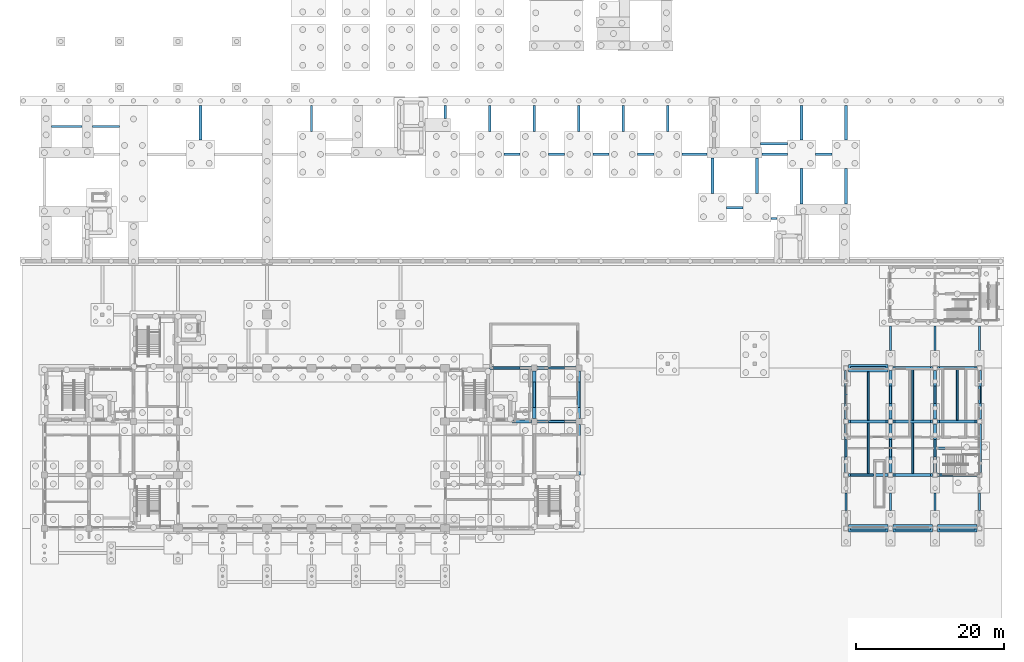
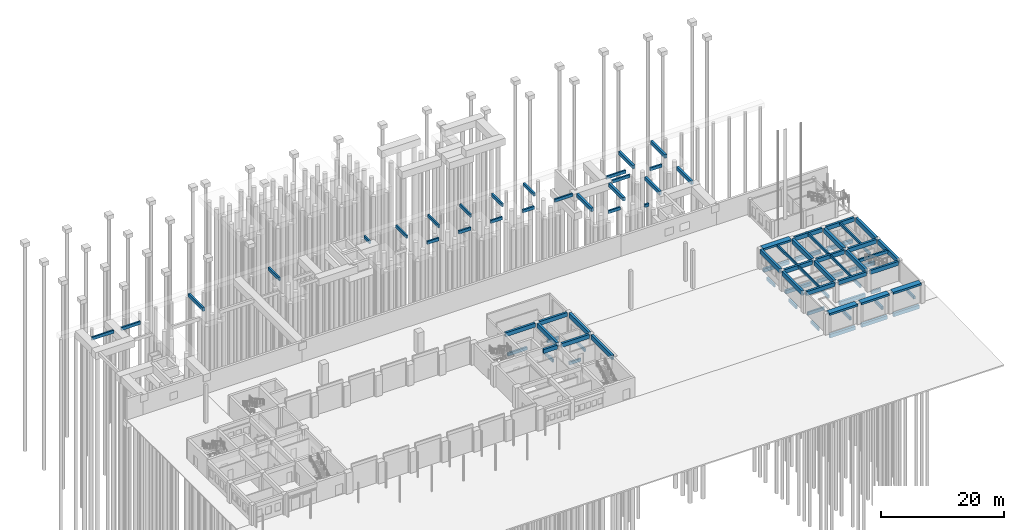
# One storey, part 14 of 37: 90 beams.
"""IFC4 building model written with IfcOpenShell, lengths in metres."""

from ifc_helpers import new_model, si_unit, direction, frame, origin, origin_2d, place, context, subcontext, project, spatial, rectangle, extrude, material, material_profile, profile_set, type_object, element, save


model = new_model("IFC4")

# Units and contexts
model_context = context("Model", 3, precision=1e-05, world=origin(), true_north=direction((0.0, 1.0)))
body_context = subcontext(model_context, "Body", "Model", "MODEL_VIEW")
ifc_project = project(units=[si_unit("LENGTHUNIT", "METRE"), si_unit("AREAUNIT", "SQUARE_METRE"), si_unit("VOLUMEUNIT", "CUBIC_METRE"), si_unit("PLANEANGLEUNIT", "RADIAN"), si_unit("MASSUNIT", "GRAM", prefix="KILO")], contexts=[model_context])

# Site, building, storey
site_placement = place(None, origin())
site = spatial("IfcSite", under=ifc_project, at=site_placement, CompositionType="ELEMENT")
building_placement = place(site_placement, origin())
building = spatial("IfcBuilding", under=site, at=building_placement, Name="Laocheng Heights Fire and Rescue Headquarters", CompositionType="ELEMENT")
storey_placement = place(building_placement, origin())
storey = spatial("IfcBuildingStorey", under=building, at=storey_placement, Name="L00", CompositionType="ELEMENT", Elevation=0.0)

# Beams
ifc_material_1 = material(Name="Concrete C40", Category="concrete")
ifc_material_profile_1 = material_profile(ifc_material_1, rectangle(XDim=1.0, YDim=0.39990234375, at=origin_2d()), Name="RC BEAM 1000x400 WORKSHOP DOOR HEAD BAND")
ifc_profile_set_1 = profile_set([ifc_material_profile_1], Name="Concrete C40")
beam_type_1 = type_object("IfcBeamType", Name="RC BEAM 1000x400 WORKSHOP DOOR HEAD BAND", PredefinedType="BEAM", material=ifc_profile_set_1)
for number, where, z_axis, x_axis, name in (
    (1, (108.35009765625, 21.60009765625, 3.800048828125), (1.0, 0.0, 0.0), (0.0, 1.0, 0.0), "Mezzanine beam"),
    (2, (108.35009765625, 0.0, 4.0), (1.0, 0.0, 0.0), (0.0, 1.0, 0.0), "Door head band beam"),
    (3, (114.35009765625, 0.0, 4.0), (1.0, 0.0, 0.0), (0.0, 1.0, 0.0), "Door head band beam"),
    (4, (120.35009765625, 0.0, 4.0), (1.0, 0.0, 0.0), (0.0, 1.0, 0.0), "Door head band beam"),
):
    element("IfcBeam", number, at=place(storey_placement, frame(where, z_axis=z_axis, x_axis=x_axis)), inside=storey, type_object=beam_type_1, Name=name, PredefinedType="BEAM", context=body_context, shape_type="SweptSolid", body=[
        extrude(rectangle(XDim=1.0, YDim=0.39990234375, at=origin_2d()), origin(), (0.0, 0.0, 1.0), 5.2998046875),
    ])
ifc_material_2 = material(Name="Concrete C40", Category="concrete")
ifc_material_profile_2 = material_profile(ifc_material_2, rectangle(XDim=0.25, YDim=0.5, at=origin_2d()), Name="RC BEAM 250x500 WORKSHOP MEZZANINE JOIST")
ifc_profile_set_2 = profile_set([ifc_material_profile_2], Name="Concrete C40")
beam_type_2 = type_object("IfcBeamType", Name="RC BEAM 250x500 WORKSHOP MEZZANINE JOIST", PredefinedType="BEAM", material=ifc_profile_set_2)
beam_1_placement = place(storey_placement, frame((111.0, 7.39990234375, 3.75), z_axis=(0.0, 1.0, 0.0), x_axis=(-1.0, 0.0, 0.0)))
element("IfcBeam", 5, at=beam_1_placement, inside=storey, type_object=beam_type_2, Name="Mezzanine joist", PredefinedType="BEAM", context=body_context, shape_type="SweptSolid", body=[
    extrude(rectangle(XDim=0.25, YDim=0.5, at=origin_2d()), origin(), (0.0, 0.0, 1.0), 6.800048828125),
])
beam_2_placement = place(storey_placement, frame((111.0, 14.60009765625, 3.75), z_axis=(0.0, 1.0, 0.0), x_axis=(-1.0, 0.0, 0.0)))
element("IfcBeam", 6, at=beam_2_placement, inside=storey, type_object=beam_type_2, Name="Mezzanine joist", PredefinedType="BEAM", context=body_context, shape_type="SweptSolid", body=[
    extrude(rectangle(XDim=0.25, YDim=0.5, at=origin_2d()), origin(), (0.0, 0.0, 1.0), 6.5),
])
beam_3_placement = place(storey_placement, frame((117.0, 7.39990234375, 3.75), z_axis=(0.0, 1.0, 0.0), x_axis=(-1.0, 0.0, 0.0)))
element("IfcBeam", 7, at=beam_3_placement, inside=storey, type_object=beam_type_2, Name="Mezzanine joist", PredefinedType="BEAM", context=body_context, shape_type="SweptSolid", body=[
    extrude(rectangle(XDim=0.25, YDim=0.5, at=origin_2d()), origin(), (0.0, 0.0, 1.0), 6.800048828125),
])
for number, where, z_axis, x_axis, name in (
    (8, (117.0, 14.60009765625, 3.75), (0.0, 1.0, 0.0), (-1.0, 0.0, 0.0), "Mezzanine joist"),
    (9, (123.0, 14.60009765625, 3.75), (0.0, 1.0, 0.0), (-1.0, 0.0, 0.0), "Mezzanine joist"),
):
    element("IfcBeam", number, at=place(storey_placement, frame(where, z_axis=z_axis, x_axis=x_axis)), inside=storey, type_object=beam_type_2, Name=name, PredefinedType="BEAM", context=body_context, shape_type="SweptSolid", body=[
        extrude(rectangle(XDim=0.25, YDim=0.5, at=origin_2d()), origin(), (0.0, 0.0, 1.0), 6.7998046875),
    ])
ifc_material_3 = material(Name="Concrete C40", Category="concrete")
ifc_material_profile_3 = material_profile(ifc_material_3, rectangle(XDim=0.300048828125, YDim=0.60009765625, at=origin_2d()), Name="RC BEAM 300x600 WORKSHOP MEZZANINE TRIMMER")
ifc_profile_set_3 = profile_set([ifc_material_profile_3], Name="Concrete C40")
beam_type_3 = type_object("IfcBeamType", Name="RC BEAM 300x600 WORKSHOP MEZZANINE TRIMMER", PredefinedType="BEAM", material=ifc_profile_set_3)
beam_4_placement = place(storey_placement, frame((120.22509765625, 10.800048828125, 3.699951171875), z_axis=(1.0, 0.0, 0.0), x_axis=(0.0, 1.0, 0.0)))
element("IfcBeam", 10, at=beam_4_placement, inside=storey, type_object=beam_type_3, Name="Mezzanine trimmer beam", PredefinedType="BEAM", context=body_context, shape_type="SweptSolid", body=[
    extrude(rectangle(XDim=0.300048828125, YDim=0.60009765625, at=origin_2d()), origin(), (0.0, 0.0, 1.0), 5.5498046875),
])
ifc_material_4 = material(Name="Concrete C40", Category="concrete")
ifc_material_profile_4 = material_profile(ifc_material_4, rectangle(XDim=0.39990234375, YDim=0.800048828125, at=origin_2d()), Name="RC BEAM 400x800 PAVILION FLOOR")
ifc_profile_set_4 = profile_set([ifc_material_profile_4], Name="Concrete C40")
beam_type_4 = type_object("IfcBeamType", Name="RC BEAM 400x800 PAVILION FLOOR", PredefinedType="BEAM", material=ifc_profile_set_4)
beam_5_placement = place(storey_placement, frame((63.0, 14.39990234375, 3.60009765625), z_axis=(1.0, 0.0, 0.0), x_axis=(0.0, 1.0, 0.0)))
element("IfcBeam", 11, at=beam_5_placement, inside=storey, type_object=beam_type_4, Name="Pavilion beam", PredefinedType="BEAM", context=body_context, shape_type="SweptSolid", body=[
    extrude(rectangle(XDim=0.39990234375, YDim=0.800048828125, at=origin_2d()), origin(), (0.0, 0.0, 1.0), 2.60009765625),
])
beam_6_placement = place(storey_placement, frame((66.39990234375, 14.39990234375, 3.60009765625), z_axis=(1.0, 0.0, 0.0), x_axis=(0.0, 1.0, 0.0)))
element("IfcBeam", 12, at=beam_6_placement, inside=storey, type_object=beam_type_4, Name="Pavilion beam", PredefinedType="BEAM", context=body_context, shape_type="SweptSolid", body=[
    extrude(rectangle(XDim=0.39990234375, YDim=0.800048828125, at=origin_2d()), origin(), (0.0, 0.0, 1.0), 5.2001953125),
])
beam_7_placement = place(storey_placement, frame((60.0, 21.60009765625, 3.60009765625), z_axis=(1.0, 0.0, 0.0), x_axis=(0.0, 1.0, 0.0)))
element("IfcBeam", 13, at=beam_7_placement, inside=storey, type_object=beam_type_4, Name="Pavilion beam", PredefinedType="BEAM", context=body_context, shape_type="SweptSolid", body=[
    extrude(rectangle(XDim=0.39990234375, YDim=0.800048828125, at=origin_2d()), origin(), (0.0, 0.0, 1.0), 5.60009765625),
])
beam_8_placement = place(storey_placement, frame((66.39990234375, 21.60009765625, 3.60009765625), z_axis=(1.0, 0.0, 0.0), x_axis=(0.0, 1.0, 0.0)))
element("IfcBeam", 14, at=beam_8_placement, inside=storey, type_object=beam_type_4, Name="Pavilion beam", PredefinedType="BEAM", context=body_context, shape_type="SweptSolid", body=[
    extrude(rectangle(XDim=0.39990234375, YDim=0.800048828125, at=origin_2d()), origin(), (0.0, 0.0, 1.0), 5.2001953125),
])
ifc_material_5 = material(Name="Concrete C40", Category="concrete")
ifc_material_profile_5 = material_profile(ifc_material_5, rectangle(XDim=0.39990234375, YDim=0.800048828125, at=origin_2d()), Name="RC BEAM 400x800 WORKSHOP FLOOR")
ifc_profile_set_5 = profile_set([ifc_material_profile_5], Name="Concrete C40")
beam_type_5 = type_object("IfcBeamType", Name="RC BEAM 400x800 WORKSHOP FLOOR", PredefinedType="BEAM", material=ifc_profile_set_5)
for number, where, z_axis, x_axis, name in (
    (15, (108.35009765625, 7.199951171875, 3.60009765625), (1.0, 0.0, 0.0), (0.0, 1.0, 0.0), "Mezzanine beam"),
    (16, (114.35009765625, 7.199951171875, 3.60009765625), (1.0, 0.0, 0.0), (0.0, 1.0, 0.0), "Mezzanine beam"),
    (17, (120.35009765625, 7.199951171875, 3.60009765625), (1.0, 0.0, 0.0), (0.0, 1.0, 0.0), "Mezzanine beam"),
    (18, (108.35009765625, 14.39990234375, 3.60009765625), (1.0, 0.0, 0.0), (0.0, 1.0, 0.0), "Mezzanine beam"),
    (19, (114.35009765625, 14.39990234375, 3.60009765625), (1.0, 0.0, 0.0), (0.0, 1.0, 0.0), "Mezzanine beam"),
    (20, (120.35009765625, 14.39990234375, 3.60009765625), (1.0, 0.0, 0.0), (0.0, 1.0, 0.0), "Mezzanine beam"),
    (21, (114.35009765625, 21.60009765625, 3.60009765625), (1.0, 0.0, 0.0), (0.0, 1.0, 0.0), "Mezzanine beam"),
    (22, (120.35009765625, 21.60009765625, 3.60009765625), (1.0, 0.0, 0.0), (0.0, 1.0, 0.0), "Mezzanine beam"),
):
    element("IfcBeam", number, at=place(storey_placement, frame(where, z_axis=z_axis, x_axis=x_axis)), inside=storey, type_object=beam_type_5, Name=name, PredefinedType="BEAM", context=body_context, shape_type="SweptSolid", body=[
        extrude(rectangle(XDim=0.39990234375, YDim=0.800048828125, at=origin_2d()), origin(), (0.0, 0.0, 1.0), 5.2998046875),
    ])
ifc_material_6 = material(Name="Concrete C40", Category="concrete")
ifc_material_profile_6 = material_profile(ifc_material_6, rectangle(XDim=0.449951171875, YDim=0.89990234375, at=origin_2d()), Name="RC BEAM 450x900 PAVILION FLOOR")
ifc_profile_set_6 = profile_set([ifc_material_profile_6], Name="Concrete C40")
beam_type_6 = type_object("IfcBeamType", Name="RC BEAM 450x900 PAVILION FLOOR", PredefinedType="BEAM", material=ifc_profile_set_6)
beam_9_placement = place(storey_placement, frame((66.0, 14.800048828125, 3.550048828125), z_axis=(0.0, 1.0, 0.0), x_axis=(-1.0, 0.0, 0.0)))
element("IfcBeam", 23, at=beam_9_placement, inside=storey, type_object=beam_type_6, Name="Pavilion beam", PredefinedType="BEAM", context=body_context, shape_type="SweptSolid", body=[
    extrude(rectangle(XDim=0.449951171875, YDim=0.89990234375, at=origin_2d()), origin(), (0.0, 0.0, 1.0), 6.39990234375),
])
beam_10_placement = place(storey_placement, frame((72.0, 7.199951171875, 3.550048828125), z_axis=(0.0, 1.0, 0.0), x_axis=(-1.0, 0.0, 0.0)))
element("IfcBeam", 24, at=beam_10_placement, inside=storey, type_object=beam_type_6, Name="Pavilion beam", PredefinedType="BEAM", context=body_context, shape_type="SweptSolid", body=[
    extrude(rectangle(XDim=0.449951171875, YDim=0.89990234375, at=origin_2d()), origin(), (0.0, 0.0, 1.0), 6.800048828125),
])
beam_11_placement = place(storey_placement, frame((72.0, 14.800048828125, 3.550048828125), z_axis=(0.0, 1.0, 0.0), x_axis=(-1.0, 0.0, 0.0)))
element("IfcBeam", 25, at=beam_11_placement, inside=storey, type_object=beam_type_6, Name="Pavilion beam", PredefinedType="BEAM", context=body_context, shape_type="SweptSolid", body=[
    extrude(rectangle(XDim=0.449951171875, YDim=0.89990234375, at=origin_2d()), origin(), (0.0, 0.0, 1.0), 6.39990234375),
])
ifc_material_7 = material(Name="Concrete C40", Category="concrete")
ifc_material_profile_7 = material_profile(ifc_material_7, rectangle(XDim=0.449951171875, YDim=0.89990234375, at=origin_2d()), Name="RC BEAM 450x900 WORKSHOP FLOOR")
ifc_profile_set_7 = profile_set([ifc_material_profile_7], Name="Concrete C40")
beam_type_7 = type_object("IfcBeamType", Name="RC BEAM 450x900 WORKSHOP FLOOR", PredefinedType="BEAM", material=ifc_profile_set_7)
for number, where, z_axis, x_axis, name in (
    (26, (108.0, 7.550048828125, 3.550048828125), (0.0, 1.0, 0.0), (-1.0, 0.0, 0.0), "Mezzanine beam"),
    (27, (108.0, 14.75, 3.550048828125), (0.0, 1.0, 0.0), (-1.0, 0.0, 0.0), "Mezzanine beam"),
    (28, (114.0, 7.550048828125, 3.550048828125), (0.0, 1.0, 0.0), (-1.0, 0.0, 0.0), "Mezzanine beam"),
    (29, (114.0, 14.75, 3.550048828125), (0.0, 1.0, 0.0), (-1.0, 0.0, 0.0), "Mezzanine beam"),
    (30, (120.0, 7.550048828125, 3.550048828125), (0.0, 1.0, 0.0), (-1.0, 0.0, 0.0), "Mezzanine beam"),
    (31, (120.0, 14.75, 3.550048828125), (0.0, 1.0, 0.0), (-1.0, 0.0, 0.0), "Mezzanine beam"),
    (32, (126.0, 7.550048828125, 3.550048828125), (0.0, 1.0, 0.0), (-1.0, 0.0, 0.0), "Mezzanine beam"),
    (33, (126.0, 14.75, 3.550048828125), (0.0, 1.0, 0.0), (-1.0, 0.0, 0.0), "Mezzanine beam"),
):
    element("IfcBeam", number, at=place(storey_placement, frame(where, z_axis=z_axis, x_axis=x_axis)), inside=storey, type_object=beam_type_7, Name=name, PredefinedType="BEAM", context=body_context, shape_type="SweptSolid", body=[
        extrude(rectangle(XDim=0.449951171875, YDim=0.89990234375, at=origin_2d()), origin(), (0.0, 0.0, 1.0), 6.5),
    ])
ifc_material_8 = material(Name="Concrete C40", Category="concrete")
ifc_material_profile_8 = material_profile(ifc_material_8, rectangle(XDim=0.300048828125, YDim=0.60009765625, at=origin_2d()), Name="RC GROUND BEAM 300x600")
ifc_profile_set_8 = profile_set([ifc_material_profile_8], Name="Concrete C40")
beam_type_8 = type_object("IfcBeamType", Name="RC GROUND BEAM 300x600", PredefinedType="BEAM", material=ifc_profile_set_8)
for number, where, z_axis, x_axis, name in (
    (34, (108.0, 2.39990234375, -0.550048828125), (0.0, 1.0, 0.0), (-1.0, 0.0, 0.0), "Ground beam GB48"),
    (35, (114.0, 2.39990234375, -0.550048828125), (0.0, 1.0, 0.0), (-1.0, 0.0, 0.0), "Ground beam GB49"),
    (36, (120.0, 2.39990234375, -0.550048828125), (0.0, 1.0, 0.0), (-1.0, 0.0, 0.0), "Ground beam GB50"),
    (37, (126.0, 2.39990234375, -0.550048828125), (0.0, 1.0, 0.0), (-1.0, 0.0, 0.0), "Ground beam GB51"),
):
    element("IfcBeam", number, at=place(storey_placement, frame(where, z_axis=z_axis, x_axis=x_axis)), inside=storey, type_object=beam_type_8, Name=name, PredefinedType="BEAM", context=body_context, shape_type="SweptSolid", body=[
        extrude(rectangle(XDim=0.300048828125, YDim=0.60009765625, at=origin_2d()), origin(), (0.0, 0.0, 1.0), 2.400146484375),
    ])
beam_12_placement = place(storey_placement, frame((108.60009765625, 7.199951171875, -0.550048828125), z_axis=(1.0, 0.0, 0.0), x_axis=(0.0, 1.0, 0.0)))
element("IfcBeam", 38, at=beam_12_placement, inside=storey, type_object=beam_type_8, Name="Ground beam GB56", PredefinedType="BEAM", context=body_context, shape_type="SweptSolid", body=[
    extrude(rectangle(XDim=0.300048828125, YDim=0.60009765625, at=origin_2d()), origin(), (0.0, 0.0, 1.0), 3.14990234375),
])
beam_13_placement = place(storey_placement, frame((120.60009765625, 7.199951171875, -0.550048828125), z_axis=(1.0, 0.0, 0.0), x_axis=(0.0, 1.0, 0.0)))
element("IfcBeam", 39, at=beam_13_placement, inside=storey, type_object=beam_type_8, Name="Ground beam GB58", PredefinedType="BEAM", context=body_context, shape_type="SweptSolid", body=[
    extrude(rectangle(XDim=0.300048828125, YDim=0.60009765625, at=origin_2d()), origin(), (0.0, 0.0, 1.0), 1.7998046875),
])
for number, where, z_axis, x_axis, name in (
    (40, (108.0, 9.60009765625, -0.550048828125), (0.0, 1.0, 0.0), (-1.0, 0.0, 0.0), "Ground beam GB68"),
    (41, (114.0, 9.60009765625, -0.550048828125), (0.0, 1.0, 0.0), (-1.0, 0.0, 0.0), "Ground beam GB69"),
    (42, (120.0, 9.60009765625, -0.550048828125), (0.0, 1.0, 0.0), (-1.0, 0.0, 0.0), "Ground beam GB70"),
):
    element("IfcBeam", number, at=place(storey_placement, frame(where, z_axis=z_axis, x_axis=x_axis)), inside=storey, type_object=beam_type_8, Name=name, PredefinedType="BEAM", context=body_context, shape_type="SweptSolid", body=[
        extrude(rectangle(XDim=0.300048828125, YDim=0.60009765625, at=origin_2d()), origin(), (0.0, 0.0, 1.0), 2.39990234375),
    ])
beam_14_placement = place(storey_placement, frame((67.89990234375, 14.39990234375, -0.550048828125), z_axis=(1.0, 0.0, 0.0), x_axis=(0.0, 1.0, 0.0)))
element("IfcBeam", 43, at=beam_14_placement, inside=storey, type_object=beam_type_8, Name="Ground beam GB73", PredefinedType="BEAM", context=body_context, shape_type="SweptSolid", body=[
    extrude(rectangle(XDim=0.300048828125, YDim=0.60009765625, at=origin_2d()), origin(), (0.0, 0.0, 1.0), 2.2001953125),
])
for number, where, z_axis, x_axis, name in (
    (44, (66.0, 16.300048828125, -0.550048828125), (0.0, 1.0, 0.0), (-1.0, 0.0, 0.0), "Ground beam GB81"),
    (45, (72.0, 16.300048828125, -0.550048828125), (0.0, 1.0, 0.0), (-1.0, 0.0, 0.0), "Ground beam GB82"),
):
    element("IfcBeam", number, at=place(storey_placement, frame(where, z_axis=z_axis, x_axis=x_axis)), inside=storey, type_object=beam_type_8, Name=name, PredefinedType="BEAM", context=body_context, shape_type="SweptSolid", body=[
        extrude(rectangle(XDim=0.300048828125, YDim=0.60009765625, at=origin_2d()), origin(), (0.0, 0.0, 1.0), 3.39990234375),
    ])
for number, where, z_axis, x_axis, name in (
    (46, (108.0, 16.800048828125, -0.60009765625), (0.0, 1.0, 0.0), (-1.0, 0.0, 0.0), "Ground beam GB83"),
    (47, (114.0, 16.800048828125, -0.60009765625), (0.0, 1.0, 0.0), (-1.0, 0.0, 0.0), "Ground beam GB84"),
    (48, (120.0, 16.800048828125, -0.60009765625), (0.0, 1.0, 0.0), (-1.0, 0.0, 0.0), "Ground beam GB85"),
    (49, (126.0, 16.800048828125, -0.60009765625), (0.0, 1.0, 0.0), (-1.0, 0.0, 0.0), "Ground beam GB86"),
):
    element("IfcBeam", number, at=place(storey_placement, frame(where, z_axis=z_axis, x_axis=x_axis)), inside=storey, type_object=beam_type_8, Name=name, PredefinedType="BEAM", context=body_context, shape_type="SweptSolid", body=[
        extrude(rectangle(XDim=0.300048828125, YDim=0.60009765625, at=origin_2d()), origin(), (0.0, 0.0, 1.0), 2.39990234375),
    ])
beam_15_placement = place(storey_placement, frame((60.47509765625, 21.60009765625, -0.550048828125), z_axis=(1.0, 0.0, 0.0), x_axis=(0.0, 1.0, 0.0)))
element("IfcBeam", 50, at=beam_15_placement, inside=storey, type_object=beam_type_8, Name="Ground beam GB88", PredefinedType="BEAM", context=body_context, shape_type="SweptSolid", body=[
    extrude(rectangle(XDim=0.300048828125, YDim=0.60009765625, at=origin_2d()), origin(), (0.0, 0.0, 1.0), 3.625),
])
beam_16_placement = place(storey_placement, frame((67.89990234375, 21.60009765625, -0.550048828125), z_axis=(1.0, 0.0, 0.0), x_axis=(0.0, 1.0, 0.0)))
element("IfcBeam", 51, at=beam_16_placement, inside=storey, type_object=beam_type_8, Name="Ground beam GB89", PredefinedType="BEAM", context=body_context, shape_type="SweptSolid", body=[
    extrude(rectangle(XDim=0.300048828125, YDim=0.60009765625, at=origin_2d()), origin(), (0.0, 0.0, 1.0), 2.2001953125),
])
for number, where, z_axis, x_axis, name in (
    (52, (114.0, 24.0, -0.60009765625), (0.0, 1.0, 0.0), (-1.0, 0.0, 0.0), "Ground beam GB96"),
    (53, (120.0, 24.0, -0.60009765625), (0.0, 1.0, 0.0), (-1.0, 0.0, 0.0), "Ground beam GB97"),
    (54, (126.0, 24.0, -0.60009765625), (0.0, 1.0, 0.0), (-1.0, 0.0, 0.0), "Ground beam GB98"),
):
    element("IfcBeam", number, at=place(storey_placement, frame(where, z_axis=z_axis, x_axis=x_axis)), inside=storey, type_object=beam_type_8, Name=name, PredefinedType="BEAM", context=body_context, shape_type="SweptSolid", body=[
        extrude(rectangle(XDim=0.300048828125, YDim=0.60009765625, at=origin_2d()), origin(), (0.0, 0.0, 1.0), 3.300048828125),
    ])
beam_17_placement = place(storey_placement, frame((97.89990234375, 41.762451171875, 3.699951171875), z_axis=(1.0, 0.0, 0.0), x_axis=(0.0, 1.0, 0.0)))
element("IfcBeam", 55, at=beam_17_placement, inside=storey, type_object=beam_type_8, Name="Ground beam GB105", PredefinedType="BEAM", context=body_context, shape_type="SweptSolid", body=[
    extrude(rectangle(XDim=0.300048828125, YDim=0.60009765625, at=origin_2d()), origin(), (0.0, 0.0, 1.0), 0.800048828125),
])
for number, where, z_axis, x_axis, name in (
    (56, (91.89990234375, 43.199951171875, 3.699951171875), (1.0, 0.0, 0.0), (0.0, 1.0, 0.0), "Ground beam GB106"),
    (57, (61.89990234375, 50.39990234375, 3.699951171875), (1.0, 0.0, 0.0), (0.0, 1.0, 0.0), "Ground beam GB118"),
    (58, (67.89990234375, 50.39990234375, 3.699951171875), (1.0, 0.0, 0.0), (0.0, 1.0, 0.0), "Ground beam GB119"),
    (59, (73.89990234375, 50.39990234375, 3.699951171875), (1.0, 0.0, 0.0), (0.0, 1.0, 0.0), "Ground beam GB120"),
    (60, (79.89990234375, 50.39990234375, 3.699951171875), (1.0, 0.0, 0.0), (0.0, 1.0, 0.0), "Ground beam GB121"),
):
    element("IfcBeam", number, at=place(storey_placement, frame(where, z_axis=z_axis, x_axis=x_axis)), inside=storey, type_object=beam_type_8, Name=name, PredefinedType="BEAM", context=body_context, shape_type="SweptSolid", body=[
        extrude(rectangle(XDim=0.300048828125, YDim=0.60009765625, at=origin_2d()), origin(), (0.0, 0.0, 1.0), 2.2001953125),
    ])
for number, where, z_axis, x_axis, name in (
    (61, (85.89990234375, 50.39990234375, 3.699951171875), (1.0, 0.0, 0.0), (0.0, 1.0, 0.0), "Ground beam GB122"),
    (62, (96.699951171875, 50.39990234375, 3.699951171875), (1.0, 0.0, 0.0), (0.0, 1.0, 0.0), "Ground beam GB123"),
):
    element("IfcBeam", number, at=place(storey_placement, frame(where, z_axis=z_axis, x_axis=x_axis)), inside=storey, type_object=beam_type_8, Name=name, PredefinedType="BEAM", context=body_context, shape_type="SweptSolid", body=[
        extrude(rectangle(XDim=0.300048828125, YDim=0.60009765625, at=origin_2d()), origin(), (0.0, 0.0, 1.0), 3.400146484375),
    ])
beam_18_placement = place(storey_placement, frame((103.89990234375, 50.39990234375, 3.64990234375), z_axis=(1.0, 0.0, 0.0), x_axis=(0.0, 1.0, 0.0)))
element("IfcBeam", 63, at=beam_18_placement, inside=storey, type_object=beam_type_8, Name="Ground beam GB124", PredefinedType="BEAM", context=body_context, shape_type="SweptSolid", body=[
    extrude(rectangle(XDim=0.300048828125, YDim=0.60009765625, at=origin_2d()), origin(), (0.0, 0.0, 1.0), 2.2001953125),
])
beam_19_placement = place(storey_placement, frame((96.47509765625, 51.8125, 3.699951171875), z_axis=(1.0, 0.0, 0.0), x_axis=(0.0, 1.0, 0.0)))
element("IfcBeam", 64, at=beam_19_placement, inside=storey, type_object=beam_type_8, Name="Ground beam GB125", PredefinedType="BEAM", context=body_context, shape_type="SweptSolid", body=[
    extrude(rectangle(XDim=0.300048828125, YDim=0.60009765625, at=origin_2d()), origin(), (0.0, 0.0, 1.0), 3.625),
])
for number, where, z_axis, x_axis, name in (
    (65, (36.0, 53.5, 3.64990234375), (0.0, 1.0, 0.0), (-1.0, 0.0, 0.0), "Ground beam GB131"),
    (66, (60.0, 53.5, 3.64990234375), (0.0, 1.0, 0.0), (-1.0, 0.0, 0.0), "Ground beam GB132"),
    (67, (66.0, 53.5, 3.64990234375), (0.0, 1.0, 0.0), (-1.0, 0.0, 0.0), "Ground beam GB133"),
    (68, (72.0, 53.5, 3.64990234375), (0.0, 1.0, 0.0), (-1.0, 0.0, 0.0), "Ground beam GB134"),
    (69, (78.0, 53.5, 3.64990234375), (0.0, 1.0, 0.0), (-1.0, 0.0, 0.0), "Ground beam GB135"),
    (70, (84.0, 53.5, 3.64990234375), (0.0, 1.0, 0.0), (-1.0, 0.0, 0.0), "Ground beam GB136"),
):
    element("IfcBeam", number, at=place(storey_placement, frame(where, z_axis=z_axis, x_axis=x_axis)), inside=storey, type_object=beam_type_8, Name=name, PredefinedType="BEAM", context=body_context, shape_type="SweptSolid", body=[
        extrude(rectangle(XDim=0.300048828125, YDim=0.60009765625, at=origin_2d()), origin(), (0.0, 0.0, 1.0), 3.5),
    ])
beam_20_placement = place(storey_placement, frame((0.925048828125, 54.16259765625, 3.699951171875), z_axis=(1.0, 0.0, 0.0), x_axis=(0.0, 1.0, 0.0)))
element("IfcBeam", 71, at=beam_20_placement, inside=storey, type_object=beam_type_8, Name="Ground beam GB137", PredefinedType="BEAM", context=body_context, shape_type="SweptSolid", body=[
    extrude(rectangle(XDim=0.300048828125, YDim=0.60009765625, at=origin_2d()), origin(), (0.0, 0.0, 1.0), 4.14990234375),
])
beam_21_placement = place(storey_placement, frame((6.47509765625, 54.16259765625, 3.699951171875), z_axis=(1.0, 0.0, 0.0), x_axis=(0.0, 1.0, 0.0)))
element("IfcBeam", 72, at=beam_21_placement, inside=storey, type_object=beam_type_8, Name="Ground beam GB138", PredefinedType="BEAM", context=body_context, shape_type="SweptSolid", body=[
    extrude(rectangle(XDim=0.300048828125, YDim=0.60009765625, at=origin_2d()), origin(), (0.0, 0.0, 1.0), 3.625),
])
beam_22_placement = place(storey_placement, frame((54.0, 55.22509765625, 3.64990234375), z_axis=(0.0, 1.0, 0.0), x_axis=(-1.0, 0.0, 0.0)))
element("IfcBeam", 73, at=beam_22_placement, inside=storey, type_object=beam_type_8, Name="Ground beam GB139", PredefinedType="BEAM", context=body_context, shape_type="SweptSolid", body=[
    extrude(rectangle(XDim=0.300048828125, YDim=0.60009765625, at=origin_2d()), origin(), (0.0, 0.0, 1.0), 1.77490234375),
])
ifc_material_9 = material(Name="Concrete C40", Category="concrete")
ifc_material_profile_9 = material_profile(ifc_material_9, rectangle(XDim=0.39990234375, YDim=0.699951171875, at=origin_2d()), Name="RC GROUND BEAM 400x700")
ifc_profile_set_9 = profile_set([ifc_material_profile_9], Name="Concrete C40")
beam_type_9 = type_object("IfcBeamType", Name="RC GROUND BEAM 400x700", PredefinedType="BEAM", material=ifc_profile_set_9)
for number, where, z_axis, x_axis, name in (
    (74, (108.60009765625, 0.0, -0.60009765625), (1.0, 0.0, 0.0), (0.0, 1.0, 0.0), "Ground beam GB32"),
    (75, (114.60009765625, 0.0, -0.60009765625), (1.0, 0.0, 0.0), (0.0, 1.0, 0.0), "Ground beam GB33"),
    (76, (120.60009765625, 0.0, -0.60009765625), (1.0, 0.0, 0.0), (0.0, 1.0, 0.0), "Ground beam GB34"),
    (77, (114.60009765625, 7.199951171875, -0.60009765625), (1.0, 0.0, 0.0), (0.0, 1.0, 0.0), "Ground beam GB57"),
    (78, (108.60009765625, 14.39990234375, -0.60009765625), (1.0, 0.0, 0.0), (0.0, 1.0, 0.0), "Ground beam GB74"),
    (79, (114.60009765625, 14.39990234375, -0.60009765625), (1.0, 0.0, 0.0), (0.0, 1.0, 0.0), "Ground beam GB75"),
    (80, (120.60009765625, 14.39990234375, -0.60009765625), (1.0, 0.0, 0.0), (0.0, 1.0, 0.0), "Ground beam GB76"),
    (81, (108.60009765625, 21.60009765625, -0.64990234375), (1.0, 0.0, 0.0), (0.0, 1.0, 0.0), "Ground beam GB90"),
    (82, (114.60009765625, 21.60009765625, -0.64990234375), (1.0, 0.0, 0.0), (0.0, 1.0, 0.0), "Ground beam GB91"),
    (83, (120.60009765625, 21.60009765625, -0.64990234375), (1.0, 0.0, 0.0), (0.0, 1.0, 0.0), "Ground beam GB92"),
):
    element("IfcBeam", number, at=place(storey_placement, frame(where, z_axis=z_axis, x_axis=x_axis)), inside=storey, type_object=beam_type_9, Name=name, PredefinedType="BEAM", context=body_context, shape_type="SweptSolid", body=[
        extrude(rectangle(XDim=0.39990234375, YDim=0.699951171875, at=origin_2d()), origin(), (0.0, 0.0, 1.0), 4.7998046875),
    ])
for number, where, z_axis, x_axis, name in (
    (84, (102.0, 43.675048828125, 3.64990234375), (0.0, 1.0, 0.0), (-1.0, 0.0, 0.0), "Ground beam GB108"),
    (85, (108.0, 43.675048828125, 3.60009765625), (0.0, 1.0, 0.0), (-1.0, 0.0, 0.0), "Ground beam GB109"),
    (86, (90.0, 45.10009765625, 3.64990234375), (0.0, 1.0, 0.0), (-1.0, 0.0, 0.0), "Ground beam GB110"),
    (87, (96.0, 45.10009765625, 3.64990234375), (0.0, 1.0, 0.0), (-1.0, 0.0, 0.0), "Ground beam GB111"),
):
    element("IfcBeam", number, at=place(storey_placement, frame(where, z_axis=z_axis, x_axis=x_axis)), inside=storey, type_object=beam_type_9, Name=name, PredefinedType="BEAM", context=body_context, shape_type="SweptSolid", body=[
        extrude(rectangle(XDim=0.39990234375, YDim=0.699951171875, at=origin_2d()), origin(), (0.0, 0.0, 1.0), 4.824951171875),
    ])
for number, where, z_axis, x_axis, name in (
    (88, (21.0, 52.300048828125, 3.60009765625), (0.0, 1.0, 0.0), (-1.0, 0.0, 0.0), "Ground beam GB126"),
    (89, (102.0, 52.300048828125, 3.60009765625), (0.0, 1.0, 0.0), (-1.0, 0.0, 0.0), "Ground beam GB127"),
    (90, (108.0, 52.300048828125, 3.60009765625), (0.0, 1.0, 0.0), (-1.0, 0.0, 0.0), "Ground beam GB128"),
):
    element("IfcBeam", number, at=place(storey_placement, frame(where, z_axis=z_axis, x_axis=x_axis)), inside=storey, type_object=beam_type_9, Name=name, PredefinedType="BEAM", context=body_context, shape_type="SweptSolid", body=[
        extrude(rectangle(XDim=0.39990234375, YDim=0.699951171875, at=origin_2d()), origin(), (0.0, 0.0, 1.0), 4.699951171875),
    ])

save(model, "model.ifc")
